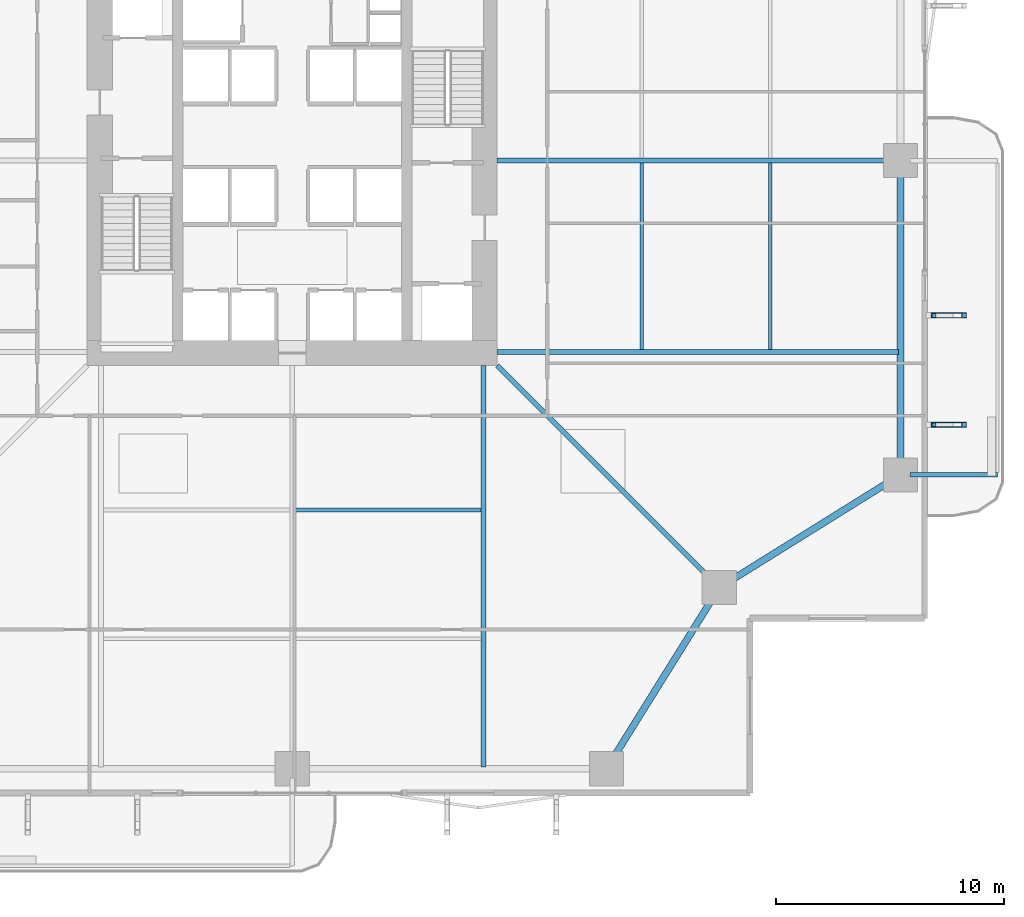
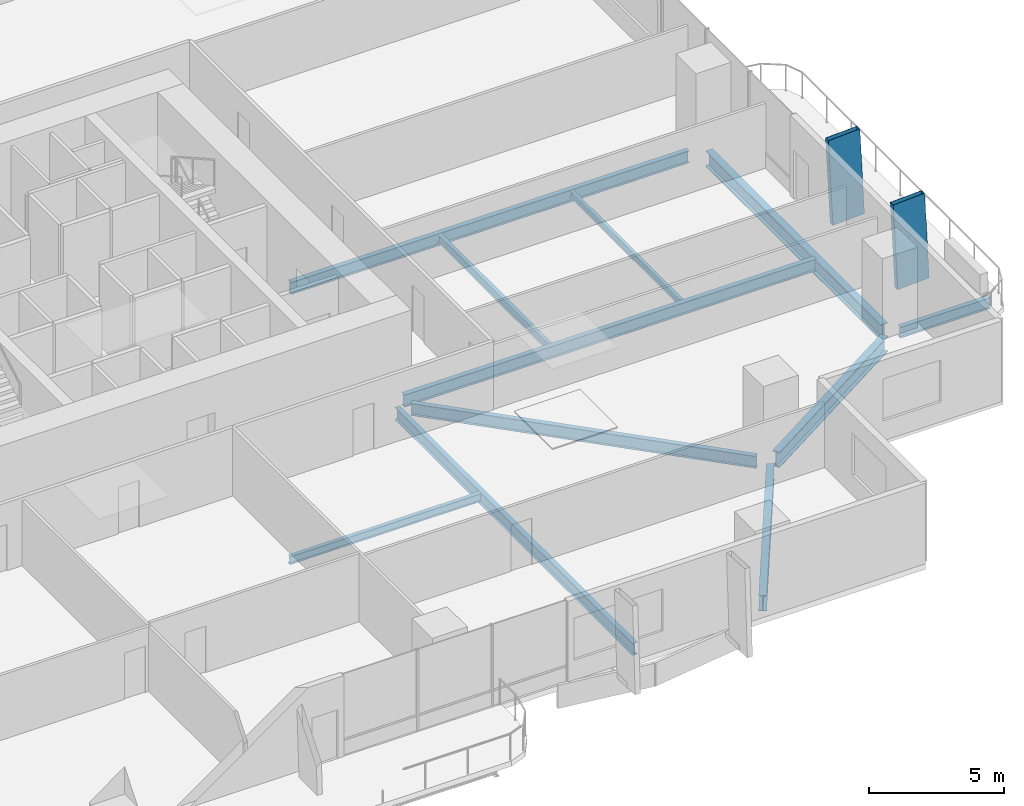
# One storey, part 7 of 23: 11 beams, 2 members.
"""IFC4 building model written with IfcOpenShell, lengths in metres."""

from ifc_helpers import new_model, si_unit, direction, frame, origin, origin_2d, place, context, subcontext, project, spatial, hollow_rectangle, i_section, extrude, material, material_profile, profile_set, type_object, element, save


model = new_model("IFC4")

# Units and contexts
model_context = context("Model", 3, precision=1e-05, world=origin(), true_north=direction((0.0, 1.0)))
body_context = subcontext(model_context, "Body", "Model", "MODEL_VIEW")
ifc_project = project(units=[si_unit("LENGTHUNIT", "METRE"), si_unit("AREAUNIT", "SQUARE_METRE"), si_unit("VOLUMEUNIT", "CUBIC_METRE"), si_unit("PLANEANGLEUNIT", "RADIAN"), si_unit("MASSUNIT", "GRAM", prefix="KILO")], contexts=[model_context])

# Site, building, storey
site_placement = place(None, origin())
site = spatial("IfcSite", under=ifc_project, at=site_placement, CompositionType="ELEMENT")
building_placement = place(site_placement, origin())
building = spatial("IfcBuilding", under=site, at=building_placement, Name="Belovzor Exchange Tower", CompositionType="ELEMENT")
storey_placement = place(building_placement, frame((0.0, 0.0, 76.800048828125)))
storey = spatial("IfcBuildingStorey", under=building, at=storey_placement, Name="L18", CompositionType="ELEMENT", Elevation=76.800048828125)

# Members
ifc_material_1 = material(Name="Extruded Architectural Terracotta on Steel S355 Carrier", Category="masonry")
ifc_material_profile_1 = material_profile(ifc_material_1, hollow_rectangle(XDim=0.219970703125, YDim=1.35009765625, WallThickness=0.013916015625, at=origin_2d()))
ifc_profile_set_1 = profile_set([ifc_material_profile_1], Name="Extruded Architectural Terracotta on Steel S355 Carrier")
member_type = type_object("IfcMemberType", Name="Base Arc Sweeping Terracotta Pylon Fin 1450", PredefinedType="USERDEFINED", material=ifc_profile_set_1)
for number, where, z_axis, x_axis, name in (
    (1, (57.72607421875, 17.199951171875, -0.25), (-0.050704695274, 0.0, 0.998713689641), (0.0, -1.0, 0.0), "FIN-TC145 Terracotta Facade Fin L18 E1"),
    (2, (57.72607421875, 22.0, -0.25), (-0.050704695274, 0.0, 0.998713689641), (0.0, -1.0, 0.0), "FIN-TC145 Terracotta Facade Fin L18 E2"),
):
    element("IfcMember", number, at=place(storey_placement, frame(where, z_axis=z_axis, x_axis=x_axis)), inside=storey, type_object=member_type, Name=name, ObjectType="FIN", PredefinedType="USERDEFINED", context=body_context, shape_type="SweptSolid", body=[
        extrude(hollow_rectangle(XDim=0.219970703125, YDim=1.35009765625, WallThickness=0.013916015625, at=origin_2d()), origin(), (0.0, 0.0, 1.0), 3.905029296875),
    ])

# Beams
ifc_material_2 = material(Name="Steel S355", Category="steel")
ifc_material_profile_2 = material_profile(ifc_material_2, i_section(OverallWidth=0.199951171875, OverallDepth=0.5, WebThickness=0.01025390625, FlangeThickness=0.01611328125, at=origin_2d()))
ifc_profile_set_2 = profile_set([ifc_material_profile_2], Name="Steel S355")
beam_type_1 = type_object("IfcBeamType", Name="Planted Balcony Cantilever Beam IPE 500", PredefinedType="BEAM", material=ifc_profile_set_2)
beam_1_placement = place(storey_placement, frame((55.9130859375, 15.0, -0.5), z_axis=(1.0, 0.0, 0.0), x_axis=(0.0, 1.0, 0.0)))
element("IfcBeam", 3, at=beam_1_placement, inside=storey, type_object=beam_type_1, Name="BC-500 Planted Balcony Cantilever Beam IPE 500", PredefinedType="BEAM", context=body_context, shape_type="SweptSolid", body=[
    extrude(i_section(OverallWidth=0.199951171875, OverallDepth=0.5, WebThickness=0.01025390625, FlangeThickness=0.01611328125, at=origin_2d()), origin(), (0.0, 0.0, 1.0), 3.849853515625),
])
ifc_material_3 = material(Name="Steel S355", Category="steel")
ifc_material_profile_3 = material_profile(ifc_material_3, i_section(OverallWidth=0.169921875, OverallDepth=0.360107421875, WebThickness=0.008056640625, FlangeThickness=0.0126953125, at=origin_2d()))
ifc_profile_set_3 = profile_set([ifc_material_profile_3], Name="Steel S355")
beam_type_2 = type_object("IfcBeamType", Name="Secondary Infill Floor Joist IPE 360", PredefinedType="BEAM", material=ifc_profile_set_3)
beam_2_placement = place(storey_placement, frame((28.905029296875, 13.455078125, -0.429931640625), z_axis=(1.0, 0.0, 0.0), x_axis=(0.0, 1.0, 0.0)))
element("IfcBeam", 4, at=beam_2_placement, inside=storey, type_object=beam_type_2, Name="FJ-360 Secondary Infill Floor Joist IPE 360", PredefinedType="BEAM", context=body_context, shape_type="SweptSolid", body=[
    extrude(i_section(OverallWidth=0.169921875, OverallDepth=0.360107421875, WebThickness=0.008056640625, FlangeThickness=0.0126953125, at=origin_2d()), origin(), (0.0, 0.0, 1.0), 8.18994140625),
])
beam_3_placement = place(storey_placement, frame((44.14501953125, 20.5048828125, -0.429931640625), z_axis=(0.0, 1.0, 0.0), x_axis=(-1.0, 0.0, 0.0)))
element("IfcBeam", 5, at=beam_3_placement, inside=storey, type_object=beam_type_2, Name="FJ-360 Secondary Infill Floor Joist IPE 360", PredefinedType="BEAM", context=body_context, shape_type="SweptSolid", body=[
    extrude(i_section(OverallWidth=0.169921875, OverallDepth=0.360107421875, WebThickness=0.008056640625, FlangeThickness=0.0126953125, at=origin_2d()), origin(), (0.0, 0.0, 1.0), 8.190185546875),
])
ifc_material_4 = material(Name="Steel S355", Category="steel")
ifc_material_profile_4 = material_profile(ifc_material_4, i_section(OverallWidth=0.14990234375, OverallDepth=0.300048828125, WebThickness=0.007080078125, FlangeThickness=0.0107421875, at=origin_2d()))
ifc_profile_set_4 = profile_set([ifc_material_profile_4], Name="Steel S355")
beam_type_3 = type_object("IfcBeamType", Name="Secondary Trim Floor Joist IPE 300", PredefinedType="BEAM", material=ifc_profile_set_4)
beam_4_placement = place(storey_placement, frame((49.784912109375, 20.5048828125, -0.400146484375), z_axis=(0.0, 1.0, 0.0), x_axis=(-1.0, 0.0, 0.0)))
element("IfcBeam", 6, at=beam_4_placement, inside=storey, type_object=beam_type_3, Name="FJ-300 Secondary Trim Floor Joist IPE 300", PredefinedType="BEAM", context=body_context, shape_type="SweptSolid", body=[
    extrude(i_section(OverallWidth=0.14990234375, OverallDepth=0.300048828125, WebThickness=0.007080078125, FlangeThickness=0.0107421875, at=origin_2d()), origin(), (0.0, 0.0, 1.0), 8.190185546875),
])
ifc_material_5 = material(Name="Steel S355", Category="steel")
ifc_material_profile_5 = material_profile(ifc_material_5, i_section(OverallWidth=0.300048828125, OverallDepth=0.699951171875, WebThickness=0.01708984375, FlangeThickness=0.031982421875, at=origin_2d()))
ifc_profile_set_5 = profile_set([ifc_material_profile_5], Name="Steel S355")
beam_type_4 = type_object("IfcBeamType", Name="Zone 1 Primary Perimeter Girder HEB 700", PredefinedType="BEAM", material=ifc_profile_set_5)
for number, where, z_axis, x_axis, name in (
    (7, (42.818115234375, 2.449951171875, -0.60009765625), (0.528538629686, 0.848909251292, 0.0), (-0.848909251292, 0.528538629686, 0.0), "FG-Z1 Zone 1 Primary Perimeter Girder HEB 700"),
    (8, (47.89990234375, 10.26806640625, -0.60009765625), (0.848909251292, 0.528538629686, 0.0), (-0.528538629686, 0.848909251292, 0.0), "FG-Z1 Zone 1 Primary Perimeter Girder HEB 700"),
):
    element("IfcBeam", number, at=place(storey_placement, frame(where, z_axis=z_axis, x_axis=x_axis)), inside=storey, type_object=beam_type_4, Name=name, PredefinedType="BEAM", context=body_context, shape_type="SweptSolid", body=[
        extrude(i_section(OverallWidth=0.300048828125, OverallDepth=0.699951171875, WebThickness=0.01708984375, FlangeThickness=0.031982421875, at=origin_2d()), origin(), (0.0, 0.0, 1.0), 8.540283203125),
    ])
beam_5_placement = place(storey_placement, frame((55.5, 15.412109375, -0.60009765625), z_axis=(0.0, 1.0, 0.0), x_axis=(-1.0, 0.0, 0.0)))
element("IfcBeam", 9, at=beam_5_placement, inside=storey, type_object=beam_type_4, Name="FG-Z1 Zone 1 Primary Perimeter Girder HEB 700", PredefinedType="BEAM", context=body_context, shape_type="SweptSolid", body=[
    extrude(i_section(OverallWidth=0.300048828125, OverallDepth=0.699951171875, WebThickness=0.01708984375, FlangeThickness=0.031982421875, at=origin_2d()), origin(), (0.0, 0.0, 1.0), 12.974853515625),
])
ifc_material_6 = material(Name="Steel S355", Category="steel")
ifc_material_profile_6 = material_profile(ifc_material_6, i_section(OverallWidth=0.2099609375, OverallDepth=0.550048828125, WebThickness=0.010986328125, FlangeThickness=0.01708984375, at=origin_2d()))
ifc_profile_set_6 = profile_set([ifc_material_profile_6], Name="Steel S355")
beam_type_5 = type_object("IfcBeamType", Name="Zone 1 Radial Composite Floor Beam IPE 550", PredefinedType="BEAM", material=ifc_profile_set_6)
for number, where, z_axis, x_axis, name in (
    (10, (37.199951171875, 19.800048828125, -0.525146484375), (0.0, -1.0, 0.0), (1.0, 0.0, 0.0), "FB-550 Zone 1 Radial Composite Floor Beam IPE 550"),
    (11, (37.800048828125, 20.39990234375, -0.525146484375), (1.0, 0.0, 0.0), (0.0, 1.0, 0.0), "FB-550 Zone 1 Radial Composite Floor Beam IPE 550"),
):
    element("IfcBeam", number, at=place(storey_placement, frame(where, z_axis=z_axis, x_axis=x_axis)), inside=storey, type_object=beam_type_5, Name=name, PredefinedType="BEAM", context=body_context, shape_type="SweptSolid", body=[
        extrude(i_section(OverallWidth=0.2099609375, OverallDepth=0.550048828125, WebThickness=0.010986328125, FlangeThickness=0.01708984375, at=origin_2d()), origin(), (0.0, 0.0, 1.0), 17.625),
    ])
beam_6_placement = place(storey_placement, frame((37.800048828125, 28.800048828125, -0.525146484375), z_axis=(1.0, 0.0, 0.0), x_axis=(0.0, 1.0, 0.0)))
element("IfcBeam", 12, at=beam_6_placement, inside=storey, type_object=beam_type_5, Name="FB-550 Zone 1 Radial Composite Floor Beam IPE 550", PredefinedType="BEAM", context=body_context, shape_type="SweptSolid", body=[
    extrude(i_section(OverallWidth=0.2099609375, OverallDepth=0.550048828125, WebThickness=0.010986328125, FlangeThickness=0.01708984375, at=origin_2d()), origin(), (0.0, 0.0, 1.0), 17.0400390625),
])
beam_7_placement = place(storey_placement, frame((37.800048828125, 19.800048828125, -0.525146484375), z_axis=(0.707106781187, -0.707106781187, 0.0), x_axis=(0.707106781187, 0.707106781187, 0.0)))
element("IfcBeam", 13, at=beam_7_placement, inside=storey, type_object=beam_type_5, Name="FB-550 Zone 1 Radial Composite Floor Beam IPE 550", PredefinedType="BEAM", context=body_context, shape_type="SweptSolid", body=[
    extrude(i_section(OverallWidth=0.2099609375, OverallDepth=0.550048828125, WebThickness=0.010986328125, FlangeThickness=0.01708984375, at=origin_2d()), origin(), (0.0, 0.0, 1.0), 13.25830078125),
])

save(model, "model.ifc")
